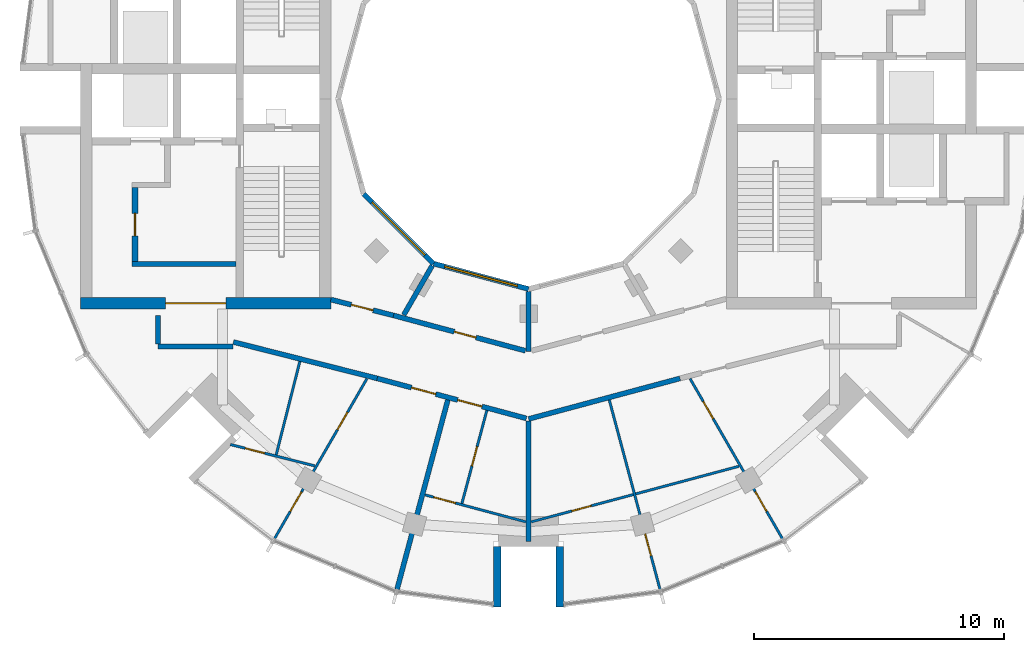
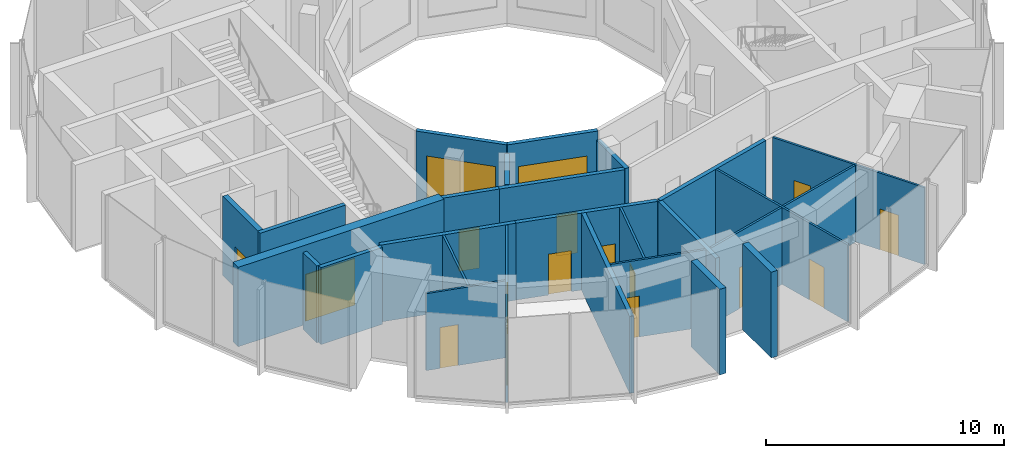
# One storey, part 7 of 13: 26 walls, 15 doors, 2 windows, 17 openings.
"""IFC4 building model written with IfcOpenShell, lengths in metres."""

from ifc_helpers import new_model, si_unit, direction, frame, frame_2d, origin, place, context, subcontext, project, spatial, rectangle, extrude, material, layer, layer_set, type_object, element, fill, save


model = new_model("IFC4")

# Units and contexts
model_context = context("Model", 3, precision=1e-05, world=origin(), true_north=direction((0.0, 1.0)))
body_context = subcontext(model_context, "Body", "Model", "MODEL_VIEW")
ifc_project = project(units=[si_unit("LENGTHUNIT", "METRE"), si_unit("AREAUNIT", "SQUARE_METRE"), si_unit("VOLUMEUNIT", "CUBIC_METRE"), si_unit("PLANEANGLEUNIT", "RADIAN"), si_unit("MASSUNIT", "GRAM", prefix="KILO")], contexts=[model_context])

# Site, building, storey
site_placement = place(None, origin())
site = spatial("IfcSite", under=ifc_project, at=site_placement, CompositionType="ELEMENT")
building_placement = place(site_placement, origin())
building = spatial("IfcBuilding", under=site, at=building_placement, Name="Torre Brocal", CompositionType="ELEMENT")
storey_placement = place(building_placement, frame((0.0, 0.0, 319.300048828125)))
storey = spatial("IfcBuildingStorey", under=building, at=storey_placement, Name="L73", CompositionType="ELEMENT", Elevation=319.300048828125)

# Wall
ifc_material_1 = material(Name="Concrete C50", Category="concrete")
ifc_layer_1 = layer(ifc_material_1, 0.199951171875)
ifc_layer_set_1 = layer_set([ifc_layer_1], Name="Concrete C50")
wall_type_1 = type_object("IfcWallType", Name="CORE WALL 200 C50", PredefinedType="SHEAR", material=ifc_layer_set_1)
wall_1_placement = place(storey_placement, frame((68.300048828125, 68.39990234375, 0.0), z_axis=(0.0, 0.0, 1.0), x_axis=(-1.0, 0.0, 0.0)))
element("IfcWall", 1, at=wall_1_placement, inside=storey, type_object=wall_type_1, Name="Wall CW200-50", PredefinedType="SHEAR", context=body_context, shape_type="SweptSolid", body=[
    extrude(rectangle(XDim=4.150146484375, YDim=0.199951171875, at=frame_2d((2.0751953125, 0.0))), origin(), (0.0, 0.0, 1.0), 4.079833984375),
])

# Wall, opening, door
ifc_material_2 = material(Name="Concrete C50", Category="concrete")
ifc_layer_2 = layer(ifc_material_2, 0.25)
ifc_layer_set_2 = layer_set([ifc_layer_2], Name="Concrete C50")
wall_type_2 = type_object("IfcWallType", Name="CORE WALL 250 C50", PredefinedType="SHEAR", material=ifc_layer_set_2)
wall_2_placement = place(storey_placement, frame((64.27490234375, 71.449951171875, 0.0), z_axis=(0.0, 0.0, 1.0), x_axis=(0.0, -1.0, 0.0)))
wall_2 = element("IfcWall", 2, at=wall_2_placement, inside=storey, type_object=wall_type_2, Name="Wall CW250-50", PredefinedType="SHEAR", context=body_context, shape_type="SweptSolid", body=[
    extrude(rectangle(XDim=2.949951171875, YDim=0.25, at=frame_2d((1.47509765625, 0.0))), origin(), (0.0, 0.0, 1.0), 4.079833984375),
])
opening_1_placement = place(wall_2_placement, frame((1.02490234375, 0.0, 0.0)))
opening_1 = element("IfcOpeningElement", 3, at=opening_1_placement, cuts=wall_2, Name="Opening W-D19", PredefinedType="OPENING", context=body_context, shape_type="SweptSolid", body=[
    extrude(rectangle(XDim=0.89990234375, YDim=2.10009765625, at=frame_2d((0.449951171875, 1.050048828125))), frame((0.0, 0.135009765625, 0.0), z_axis=(0.0, -1.0, 0.0), x_axis=(1.0, 0.0, 0.0)), (0.0, 0.0, 1.0), 0.27001953125),
])
ifc_material_3 = material(Name="Steel A653", Category="steel")
door_type_1 = type_object("IfcDoorType", Name="LOBBY DOOR FD120 900X2100", OperationType="SINGLE_SWING_RIGHT", PredefinedType="DOOR", material=ifc_material_3)
door_1_placement = place(opening_1_placement, origin())
door_1 = element("IfcDoor", 4, at=door_1_placement, inside=storey, type_object=door_type_1, Name="Door W-D19", OperationType="SINGLE_SWING_LEFT", OverallHeight=2.10009765625, OverallWidth=0.89990234375, PredefinedType="DOOR", context=body_context, shape_type="SweptSolid", body=[
    extrude(rectangle(XDim=0.89990234375, YDim=2.10009765625, at=frame_2d((0.449951171875, 1.050048828125))), frame((0.0, 0.02490234375, 0.0), z_axis=(0.0, -1.0, 0.0), x_axis=(1.0, 0.0, 0.0)), (0.0, 0.0, 1.0), 0.050048828125),
])
fill(opening_1, door_1)

ifc_material_4 = material(Name="Concrete C50", Category="concrete")
ifc_layer_3 = layer(ifc_material_4, 0.449951171875)
ifc_layer_set_3 = layer_set([ifc_layer_3], Name="Concrete C50")
wall_type_3 = type_object("IfcWallType", Name="CORE WALL 450 C50", PredefinedType="SHEAR", material=ifc_layer_set_3)
wall_3_placement = place(storey_placement, frame((72.10009765625, 66.824951171875, 0.0), z_axis=(0.0, 0.0, 1.0), x_axis=(-1.0, 0.0, 0.0)))
wall_3 = element("IfcWall", 5, at=wall_3_placement, inside=storey, type_object=wall_type_3, Name="Wall CW450-50", PredefinedType="SHEAR", context=body_context, shape_type="SweptSolid", body=[
    extrude(rectangle(XDim=10.0, YDim=0.449951171875, at=frame_2d((5.0, 0.0))), origin(), (0.0, 0.0, 1.0), 4.079833984375),
])
opening_2_placement = place(wall_3_placement, frame((4.199951171875, 0.0, 0.0)))
opening_2 = element("IfcOpeningElement", 6, at=opening_2_placement, cuts=wall_3, Name="Opening W-D23", PredefinedType="OPENING", context=body_context, shape_type="SweptSolid", body=[
    extrude(rectangle(XDim=2.39990234375, YDim=2.39990234375, at=frame_2d((1.199951171875, 1.199951171875))), frame((0.0, 0.23486328125, 0.0), z_axis=(0.0, -1.0, 0.0), x_axis=(1.0, 0.0, 0.0)), (0.0, 0.0, 1.0), 0.469970703125),
])
ifc_material_5 = material(Name="Steel A653", Category="steel")
door_type_2 = type_object("IfcDoorType", Name="DOUBLE FIRE DOOR FD90 2400X2400", OperationType="DOUBLE_DOOR_SINGLE_SWING", PredefinedType="DOOR", material=ifc_material_5)
door_2_placement = place(opening_2_placement, frame((2.39990234375, 0.0, 0.0), z_axis=(0.0, 0.0, 1.0), x_axis=(-1.0, 0.0, 0.0)))
door_2 = element("IfcDoor", 7, at=door_2_placement, inside=storey, type_object=door_type_2, Name="Door W-D23", OperationType="DOUBLE_DOOR_SINGLE_SWING", OverallHeight=2.39990234375, OverallWidth=2.39990234375, PredefinedType="DOOR", context=body_context, shape_type="SweptSolid", body=[
    extrude(rectangle(XDim=2.39990234375, YDim=2.39990234375, at=frame_2d((1.199951171875, 1.199951171875))), frame((0.0, 0.02490234375, 0.0), z_axis=(0.0, -1.0, 0.0), x_axis=(1.0, 0.0, 0.0)), (0.0, 0.0, 1.0), 0.050048828125),
])
fill(opening_2, door_2)

# Walls
ifc_material_6 = material(Name="Concrete C50", Category="concrete")
ifc_layer_4 = layer(ifc_material_6, 0.300048828125)
ifc_layer_set_4 = layer_set([ifc_layer_4], Name="Concrete C50")
wall_type_4 = type_object("IfcWallType", Name="NOTCH RETURN WALL 300 C50", PredefinedType="NOTDEFINED", material=ifc_layer_set_4)
for number, where, z_axis, x_axis, name in (
    (8, (78.75, 57.10009765625, 0.0), (0.0, 0.0, 1.0), (0.0, -1.0, 0.0), "NOTCH RETURN WALL"),
    (9, (81.25, 57.10009765625, 0.0), (0.0, 0.0, 1.0), (0.0, -1.0, 0.0), "NOTCH RETURN WALL"),
):
    element("IfcWall", number, at=place(storey_placement, frame(where, z_axis=z_axis, x_axis=x_axis)), inside=storey, type_object=wall_type_4, Name=name, PredefinedType="NOTDEFINED", context=body_context, shape_type="SweptSolid", body=[
        extrude(rectangle(XDim=2.415771484375, YDim=0.300048828125, at=frame_2d((1.2080078125, 0.0))), origin(), (0.0, 0.0, 1.0), 4.39990234375),
    ])

# Wall, opening, door
ifc_material_7 = material(Name="Gypsum board", Category="Gypsum")
ifc_layer_5 = layer(ifc_material_7, 0.10009765625)
ifc_layer_set_5 = layer_set([ifc_layer_5], Name="Gypsum board")
wall_type_5 = type_object("IfcWallType", Name="PARTITION 100", PredefinedType="PARTITIONING", material=ifc_layer_set_5)
wall_4_placement = place(storey_placement, frame((68.083251953125, 61.18359375, 0.0), z_axis=(0.0, 0.0, 1.0), x_axis=(0.969415105271, -0.245426880503, 0.0)))
wall_4 = element("IfcWall", 10, at=wall_4_placement, inside=storey, type_object=wall_type_5, Name="BATHROOM WALL", PredefinedType="PARTITIONING", context=body_context, shape_type="SweptSolid", body=[
    extrude(rectangle(XDim=3.4755859375, YDim=0.10009765625, at=frame_2d((1.73779296875, 0.0))), origin(), (0.0, 0.0, 1.0), 3.949951171875),
])
opening_3_placement = place(wall_4_placement, frame((0.610107421875, 0.0, 0.0)))
opening_3 = element("IfcOpeningElement", 11, at=opening_3_placement, cuts=wall_4, Name="Opening N05-D29", PredefinedType="OPENING", context=body_context, shape_type="SweptSolid", body=[
    extrude(rectangle(XDim=0.800048828125, YDim=2.10009765625, at=frame_2d((0.39990234375, 1.050048828125))), frame((0.0, 0.06005859375, 0.0), z_axis=(0.0, -1.0, 0.0), x_axis=(1.0, 0.0, 0.0)), (0.0, 0.0, 1.0), 0.1201171875),
])
ifc_material_8 = material(Name="Timber", Category="wood")
door_type_3 = type_object("IfcDoorType", Name="BATHROOM DOOR 800X2100", OperationType="SINGLE_SWING_LEFT", PredefinedType="DOOR", material=ifc_material_8)
door_3_placement = place(opening_3_placement, frame((0.800048828125, 0.0, 0.0), z_axis=(0.0, 0.0, 1.0), x_axis=(-1.0, 0.0, 0.0)))
door_3 = element("IfcDoor", 12, at=door_3_placement, inside=storey, type_object=door_type_3, Name="N05-D29", OperationType="SINGLE_SWING_RIGHT", OverallHeight=2.10009765625, OverallWidth=0.800048828125, PredefinedType="DOOR", context=body_context, shape_type="SweptSolid", body=[
    extrude(rectangle(XDim=0.800048828125, YDim=2.10009765625, at=frame_2d((0.39990234375, 1.050048828125))), frame((0.0, 0.02490234375, 0.0), z_axis=(0.0, -1.0, 0.0), x_axis=(1.0, 0.0, 0.0)), (0.0, 0.0, 1.0), 0.050048828125),
])
fill(opening_3, door_3)

# Wall, openings, doors
wall_5_placement = place(storey_placement, frame((69.849365234375, 57.424072265625, 0.0), z_axis=(0.0, 0.0, 1.0), x_axis=(0.500112137663, 0.865960651394, 0.0)))
wall_5 = element("IfcWall", 13, at=wall_5_placement, inside=storey, type_object=wall_type_5, Name="BATHROOM WALL", PredefinedType="PARTITIONING", context=body_context, shape_type="SweptSolid", body=[
    extrude(rectangle(XDim=7.375244140625, YDim=0.10009765625, at=frame_2d((3.6875, 0.0))), origin(), (0.0, 0.0, 1.0), 3.949951171875),
])
opening_4_placement = place(wall_5_placement, frame((1.253662109375, 0.0, 0.0)))
opening_4 = element("IfcOpeningElement", 14, at=opening_4_placement, cuts=wall_5, Name="Opening N05-D28", PredefinedType="OPENING", context=body_context, shape_type="SweptSolid", body=[
    extrude(rectangle(XDim=0.89990234375, YDim=2.10009765625, at=frame_2d((0.449951171875, 1.050048828125))), frame((0.0, 0.06005859375, 0.0), z_axis=(0.0, -1.0, 0.0), x_axis=(1.0, 0.0, 0.0)), (0.0, 0.0, 1.0), 0.1201171875),
])
opening_5_placement = place(wall_5_placement, frame((5.02734375, 0.0, 0.0)))
opening_5 = element("IfcOpeningElement", 15, at=opening_5_placement, cuts=wall_5, Name="Opening N05-D30", PredefinedType="OPENING", context=body_context, shape_type="SweptSolid", body=[
    extrude(rectangle(XDim=0.800048828125, YDim=2.10009765625, at=frame_2d((0.39990234375, 1.050048828125))), frame((0.0, 0.06005859375, 0.0), z_axis=(0.0, -1.0, 0.0), x_axis=(1.0, 0.0, 0.0)), (0.0, 0.0, 1.0), 0.1201171875),
])
door_4_placement = place(opening_5_placement, origin())
door_4 = element("IfcDoor", 16, at=door_4_placement, inside=storey, type_object=door_type_3, Name="N05-D30", OperationType="SINGLE_SWING_RIGHT", OverallHeight=2.10009765625, OverallWidth=0.800048828125, PredefinedType="DOOR", context=body_context, shape_type="SweptSolid", body=[
    extrude(rectangle(XDim=0.800048828125, YDim=2.10009765625, at=frame_2d((0.39990234375, 1.050048828125))), frame((0.0, 0.02490234375, 0.0), z_axis=(0.0, -1.0, 0.0), x_axis=(1.0, 0.0, 0.0)), (0.0, 0.0, 1.0), 0.050048828125),
])
fill(opening_5, door_4)
ifc_material_9 = material(Name="Timber", Category="wood")
door_type_4 = type_object("IfcDoorType", Name="ROOM DOOR 900X2100", OperationType="SINGLE_SWING_LEFT", PredefinedType="DOOR", material=ifc_material_9)
door_5_placement = place(opening_4_placement, origin())
door_5 = element("IfcDoor", 17, at=door_5_placement, inside=storey, type_object=door_type_4, Name="N05-D28", OperationType="SINGLE_SWING_RIGHT", OverallHeight=2.10009765625, OverallWidth=0.89990234375, PredefinedType="DOOR", context=body_context, shape_type="SweptSolid", body=[
    extrude(rectangle(XDim=0.89990234375, YDim=2.10009765625, at=frame_2d((0.449951171875, 1.050048828125))), frame((0.0, 0.02490234375, 0.0), z_axis=(0.0, -1.0, 0.0), x_axis=(1.0, 0.0, 0.0)), (0.0, 0.0, 1.0), 0.050048828125),
])
fill(opening_4, door_5)

# Wall
wall_6_placement = place(storey_placement, frame((69.914306640625, 60.77197265625, 0.0), z_axis=(0.0, 0.0, 1.0), x_axis=(0.245489008107, 0.969399374303, 0.0)))
element("IfcWall", 18, at=wall_6_placement, inside=storey, type_object=wall_type_5, Name="BATHROOM WALL", PredefinedType="PARTITIONING", context=body_context, shape_type="SweptSolid", body=[
    extrude(rectangle(XDim=3.849853515625, YDim=0.10009765625, at=frame_2d((1.9248046875, 0.0))), origin(), (0.0, 0.0, 1.0), 3.949951171875),
])

# Wall, opening, door
wall_7_placement = place(storey_placement, frame((75.861572265625, 59.171142578125, 0.0), z_axis=(0.0, 0.0, 1.0), x_axis=(0.965961623338, -0.258685411723, 0.0)))
wall_7 = element("IfcWall", 19, at=wall_7_placement, inside=storey, type_object=wall_type_5, Name="BATHROOM WALL", PredefinedType="PARTITIONING", context=body_context, shape_type="SweptSolid", body=[
    extrude(rectangle(XDim=4.17431640625, YDim=0.10009765625, at=frame_2d((2.087158203125, 0.0))), origin(), (0.0, 0.0, 1.0), 3.949951171875),
])
opening_6_placement = place(wall_7_placement, frame((0.36279296875, 0.0, 0.0)))
opening_6 = element("IfcOpeningElement", 20, at=opening_6_placement, cuts=wall_7, Name="Opening N05-D24", PredefinedType="OPENING", context=body_context, shape_type="SweptSolid", body=[
    extrude(rectangle(XDim=0.89990234375, YDim=2.10009765625, at=frame_2d((0.449951171875, 1.050048828125))), frame((0.0, 0.06005859375, 0.0), z_axis=(0.0, -1.0, 0.0), x_axis=(1.0, 0.0, 0.0)), (0.0, 0.0, 1.0), 0.1201171875),
])
door_6_placement = place(opening_6_placement, origin())
door_6 = element("IfcDoor", 21, at=door_6_placement, inside=storey, type_object=door_type_4, Name="N05-D24", OperationType="SINGLE_SWING_RIGHT", OverallHeight=2.10009765625, OverallWidth=0.89990234375, PredefinedType="DOOR", context=body_context, shape_type="SweptSolid", body=[
    extrude(rectangle(XDim=0.89990234375, YDim=2.10009765625, at=frame_2d((0.449951171875, 1.050048828125))), frame((0.0, 0.02490234375, 0.0), z_axis=(0.0, -1.0, 0.0), x_axis=(1.0, 0.0, 0.0)), (0.0, 0.0, 1.0), 0.050048828125),
])
fill(opening_6, door_6)

wall_8_placement = place(storey_placement, frame((77.3359375, 58.828369140625, 0.0), z_axis=(0.0, 0.0, 1.0), x_axis=(0.25872023695, 0.965952296437, 0.0)))
wall_8 = element("IfcWall", 22, at=wall_8_placement, inside=storey, type_object=wall_type_5, Name="BATHROOM WALL", PredefinedType="PARTITIONING", context=body_context, shape_type="SweptSolid", body=[
    extrude(rectangle(XDim=3.85009765625, YDim=0.10009765625, at=frame_2d((1.925048828125, 0.0))), origin(), (0.0, 0.0, 1.0), 3.949951171875),
])
opening_7_placement = place(wall_8_placement, frame((1.550048828125, 0.0, 0.0)))
opening_7 = element("IfcOpeningElement", 23, at=opening_7_placement, cuts=wall_8, Name="Opening N05-D26", PredefinedType="OPENING", context=body_context, shape_type="SweptSolid", body=[
    extrude(rectangle(XDim=0.800048828125, YDim=2.10009765625, at=frame_2d((0.39990234375, 1.050048828125))), frame((0.0, 0.06005859375, 0.0), z_axis=(0.0, -1.0, 0.0), x_axis=(1.0, 0.0, 0.0)), (0.0, 0.0, 1.0), 0.1201171875),
])
door_7_placement = place(opening_7_placement, frame((0.800048828125, 0.0, 0.0), z_axis=(0.0, 0.0, 1.0), x_axis=(-1.0, 0.0, 0.0)))
door_7 = element("IfcDoor", 24, at=door_7_placement, inside=storey, type_object=door_type_3, Name="N05-D26", OperationType="SINGLE_SWING_LEFT", OverallHeight=2.10009765625, OverallWidth=0.800048828125, PredefinedType="DOOR", context=body_context, shape_type="SweptSolid", body=[
    extrude(rectangle(XDim=0.800048828125, YDim=2.10009765625, at=frame_2d((0.39990234375, 1.050048828125))), frame((0.0, 0.02490234375, 0.0), z_axis=(0.0, -1.0, 0.0), x_axis=(1.0, 0.0, 0.0)), (0.0, 0.0, 1.0), 0.050048828125),
])
fill(opening_7, door_7)

wall_9_placement = place(storey_placement, frame((80.106201171875, 58.091552734375, 0.0), z_axis=(0.0, 0.0, 1.0), x_axis=(0.965971139599, 0.258649874274, 0.0)))
wall_9 = element("IfcWall", 25, at=wall_9_placement, inside=storey, type_object=wall_type_5, Name="BATHROOM WALL", PredefinedType="PARTITIONING", context=body_context, shape_type="SweptSolid", body=[
    extrude(rectangle(XDim=8.587646484375, YDim=0.10009765625, at=frame_2d((4.2939453125, 0.0))), origin(), (0.0, 0.0, 1.0), 3.949951171875),
])
opening_8_placement = place(wall_9_placement, frame((1.68212890625, 0.0, 0.0)))
opening_8 = element("IfcOpeningElement", 26, at=opening_8_placement, cuts=wall_9, Name="Opening N05-D22", PredefinedType="OPENING", context=body_context, shape_type="SweptSolid", body=[
    extrude(rectangle(XDim=0.800048828125, YDim=2.10009765625, at=frame_2d((0.39990234375, 1.050048828125))), frame((0.0, 0.06005859375, 0.0), z_axis=(0.0, -1.0, 0.0), x_axis=(1.0, 0.0, 0.0)), (0.0, 0.0, 1.0), 0.1201171875),
])
door_8_placement = place(opening_8_placement, origin())
door_8 = element("IfcDoor", 27, at=door_8_placement, inside=storey, type_object=door_type_3, Name="N05-D22", OperationType="SINGLE_SWING_LEFT", OverallHeight=2.10009765625, OverallWidth=0.800048828125, PredefinedType="DOOR", context=body_context, shape_type="SweptSolid", body=[
    extrude(rectangle(XDim=0.800048828125, YDim=2.10009765625, at=frame_2d((0.39990234375, 1.050048828125))), frame((0.0, 0.02490234375, 0.0), z_axis=(0.0, -1.0, 0.0), x_axis=(1.0, 0.0, 0.0)), (0.0, 0.0, 1.0), 0.050048828125),
])
fill(opening_8, door_8)

wall_10_placement = place(storey_placement, frame((83.224365234375, 62.96435546875, 0.0), z_axis=(0.0, 0.0, 1.0), x_axis=(0.258779160476, -0.96593651246, 0.0)))
wall_10 = element("IfcWall", 28, at=wall_10_placement, inside=storey, type_object=wall_type_5, Name="BATHROOM WALL", PredefinedType="PARTITIONING", context=body_context, shape_type="SweptSolid", body=[
    extrude(rectangle(XDim=7.838134765625, YDim=0.10009765625, at=frame_2d((3.9189453125, 0.0))), origin(), (0.0, 0.0, 1.0), 3.949951171875),
])
opening_9_placement = place(wall_10_placement, frame((5.544189453125, 0.0, 0.0)))
opening_9 = element("IfcOpeningElement", 29, at=opening_9_placement, cuts=wall_10, Name="Opening N05-D21", PredefinedType="OPENING", context=body_context, shape_type="SweptSolid", body=[
    extrude(rectangle(XDim=0.89990234375, YDim=2.10009765625, at=frame_2d((0.449951171875, 1.050048828125))), frame((0.0, 0.06005859375, 0.0), z_axis=(0.0, -1.0, 0.0), x_axis=(1.0, 0.0, 0.0)), (0.0, 0.0, 1.0), 0.1201171875),
])
door_9_placement = place(opening_9_placement, frame((0.89990234375, 0.0, 0.0), z_axis=(0.0, 0.0, 1.0), x_axis=(-1.0, 0.0, 0.0)))
door_9 = element("IfcDoor", 30, at=door_9_placement, inside=storey, type_object=door_type_4, Name="N05-D21", OperationType="SINGLE_SWING_LEFT", OverallHeight=2.10009765625, OverallWidth=0.89990234375, PredefinedType="DOOR", context=body_context, shape_type="SweptSolid", body=[
    extrude(rectangle(XDim=0.89990234375, YDim=2.10009765625, at=frame_2d((0.449951171875, 1.050048828125))), frame((0.0, 0.02490234375, 0.0), z_axis=(0.0, -1.0, 0.0), x_axis=(1.0, 0.0, 0.0)), (0.0, 0.0, 1.0), 0.050048828125),
])
fill(opening_9, door_9)

# Wall, openings, doors
wall_11_placement = place(storey_placement, frame((86.45263671875, 63.81689453125, 0.0), z_axis=(0.0, 0.0, 1.0), x_axis=(0.499822611913, -0.866127794624, 0.0)))
wall_11 = element("IfcWall", 31, at=wall_11_placement, inside=storey, type_object=wall_type_5, Name="BATHROOM WALL", PredefinedType="PARTITIONING", context=body_context, shape_type="SweptSolid", body=[
    extrude(rectangle(XDim=7.385498046875, YDim=0.10009765625, at=frame_2d((3.69287109375, 0.0))), origin(), (0.0, 0.0, 1.0), 3.949951171875),
])
opening_10_placement = place(wall_11_placement, frame((5.22021484375, 0.0, 0.0)))
opening_10 = element("IfcOpeningElement", 32, at=opening_10_placement, cuts=wall_11, Name="Opening N05-D19", PredefinedType="OPENING", context=body_context, shape_type="SweptSolid", body=[
    extrude(rectangle(XDim=0.89990234375, YDim=2.10009765625, at=frame_2d((0.449951171875, 1.050048828125))), frame((0.0, 0.06005859375, 0.0), z_axis=(0.0, -1.0, 0.0), x_axis=(1.0, 0.0, 0.0)), (0.0, 0.0, 1.0), 0.1201171875),
])
opening_11_placement = place(wall_11_placement, frame((1.049560546875, 0.0, 0.0)))
opening_11 = element("IfcOpeningElement", 33, at=opening_11_placement, cuts=wall_11, Name="Opening N05-D20", PredefinedType="OPENING", context=body_context, shape_type="SweptSolid", body=[
    extrude(rectangle(XDim=0.800048828125, YDim=2.10009765625, at=frame_2d((0.39990234375, 1.050048828125))), frame((0.0, 0.06005859375, 0.0), z_axis=(0.0, -1.0, 0.0), x_axis=(1.0, 0.0, 0.0)), (0.0, 0.0, 1.0), 0.1201171875),
])
door_10_placement = place(opening_11_placement, frame((0.800048828125, 0.0, 0.0), z_axis=(0.0, 0.0, 1.0), x_axis=(-1.0, 0.0, 0.0)))
door_10 = element("IfcDoor", 34, at=door_10_placement, inside=storey, type_object=door_type_3, Name="N05-D20", OperationType="SINGLE_SWING_RIGHT", OverallHeight=2.10009765625, OverallWidth=0.800048828125, PredefinedType="DOOR", context=body_context, shape_type="SweptSolid", body=[
    extrude(rectangle(XDim=0.800048828125, YDim=2.10009765625, at=frame_2d((0.39990234375, 1.050048828125))), frame((0.0, 0.02490234375, 0.0), z_axis=(0.0, -1.0, 0.0), x_axis=(1.0, 0.0, 0.0)), (0.0, 0.0, 1.0), 0.050048828125),
])
fill(opening_11, door_10)
door_11_placement = place(opening_10_placement, frame((0.89990234375, 0.0, 0.0), z_axis=(0.0, 0.0, 1.0), x_axis=(-1.0, 0.0, 0.0)))
door_11 = element("IfcDoor", 35, at=door_11_placement, inside=storey, type_object=door_type_4, Name="N05-D19", OperationType="SINGLE_SWING_RIGHT", OverallHeight=2.10009765625, OverallWidth=0.89990234375, PredefinedType="DOOR", context=body_context, shape_type="SweptSolid", body=[
    extrude(rectangle(XDim=0.89990234375, YDim=2.10009765625, at=frame_2d((0.449951171875, 1.050048828125))), frame((0.0, 0.02490234375, 0.0), z_axis=(0.0, -1.0, 0.0), x_axis=(1.0, 0.0, 0.0)), (0.0, 0.0, 1.0), 0.050048828125),
])
fill(opening_10, door_11)

# Walls
ifc_material_10 = material(Name="Gypsum board", Category="Gypsum")
ifc_layer_6 = layer(ifc_material_10, 0.199951171875)
ifc_layer_set_6 = layer_set([ifc_layer_6], Name="Gypsum board")
wall_type_6 = type_object("IfcWallType", Name="PARTITION 200 EI60", PredefinedType="PARTITIONING", material=ifc_layer_set_6)
wall_12_placement = place(storey_placement, frame((65.199951171875, 65.199951171875, 0.0), z_axis=(0.0, 0.0, 1.0), x_axis=(0.0, 1.0, 0.0)))
element("IfcWall", 36, at=wall_12_placement, inside=storey, type_object=wall_type_6, Name="CORRIDOR WALL", PredefinedType="PARTITIONING", context=body_context, shape_type="SweptSolid", body=[
    extrude(rectangle(XDim=1.149169921875, YDim=0.199951171875, at=frame_2d((0.57470703125, 0.0))), origin(), (0.0, 0.0, 1.0), 3.949951171875),
])
wall_13_placement = place(storey_placement, frame((65.199951171875, 65.10009765625, 0.0), z_axis=(0.0, 0.0, 1.0), x_axis=(1.0, 0.0, 0.0)))
element("IfcWall", 37, at=wall_13_placement, inside=storey, type_object=wall_type_6, Name="CORRIDOR WALL", PredefinedType="PARTITIONING", context=body_context, shape_type="SweptSolid", body=[
    extrude(rectangle(XDim=2.97998046875, YDim=0.199951171875, at=frame_2d((1.489990234375, 0.0))), origin(), (0.0, 0.0, 1.0), 3.949951171875),
])
wall_14_placement = place(storey_placement, frame((68.200927734375, 65.280029296875, 0.0), z_axis=(0.0, 0.0, 1.0), x_axis=(0.969421088032, -0.245403247897, 0.0)))
element("IfcWall", 38, at=wall_14_placement, inside=storey, type_object=wall_type_6, Name="FLAT ENTRANCE WALL", PredefinedType="PARTITIONING", context=body_context, shape_type="SweptSolid", body=[
    extrude(rectangle(XDim=5.92724609375, YDim=0.199951171875, at=frame_2d((2.963623046875, 0.0))), origin(), (0.0, 0.0, 1.0), 3.949951171875),
])

# Wall, opening, door
wall_15_placement = place(storey_placement, frame((72.10009765625, 66.97509765625, 0.0), z_axis=(0.0, 0.0, 1.0), x_axis=(0.969471314457, -0.245204752086, 0.0)))
wall_15 = element("IfcWall", 39, at=wall_15_placement, inside=storey, type_object=wall_type_6, Name="CORRIDOR WALL", PredefinedType="PARTITIONING", context=body_context, shape_type="SweptSolid", body=[
    extrude(rectangle(XDim=2.581787109375, YDim=0.199951171875, at=frame_2d((1.291015625, 0.0))), origin(), (0.0, 0.0, 1.0), 3.949951171875),
])
opening_12_placement = place(wall_15_placement, frame((0.8408203125, 0.0, 0.0)))
opening_12 = element("IfcOpeningElement", 40, at=opening_12_placement, cuts=wall_15, Name="Opening N05-D34", PredefinedType="OPENING", context=body_context, shape_type="SweptSolid", body=[
    extrude(rectangle(XDim=0.89990234375, YDim=2.10009765625, at=frame_2d((0.449951171875, 1.050048828125))), frame((0.0, 0.10986328125, 0.0), z_axis=(0.0, -1.0, 0.0), x_axis=(1.0, 0.0, 0.0)), (0.0, 0.0, 1.0), 0.219970703125),
])
door_12_placement = place(opening_12_placement, origin())
door_12 = element("IfcDoor", 41, at=door_12_placement, inside=storey, type_object=door_type_4, Name="N05-D34", OperationType="SINGLE_SWING_LEFT", OverallHeight=2.10009765625, OverallWidth=0.89990234375, PredefinedType="DOOR", context=body_context, shape_type="SweptSolid", body=[
    extrude(rectangle(XDim=0.89990234375, YDim=2.10009765625, at=frame_2d((0.449951171875, 1.050048828125))), frame((0.0, 0.02490234375, 0.0), z_axis=(0.0, -1.0, 0.0), x_axis=(1.0, 0.0, 0.0)), (0.0, 0.0, 1.0), 0.050048828125),
])
fill(opening_12, door_12)

# Wall, openings, doors
wall_16_placement = place(storey_placement, frame((73.947021484375, 63.826171875, 0.0), z_axis=(0.0, 0.0, 1.0), x_axis=(0.965894934009, -0.25893430915, 0.0)))
wall_16 = element("IfcWall", 42, at=wall_16_placement, inside=storey, type_object=wall_type_6, Name="FLAT ENTRANCE WALL", PredefinedType="PARTITIONING", context=body_context, shape_type="SweptSolid", body=[
    extrude(rectangle(XDim=6.1767578125, YDim=0.199951171875, at=frame_2d((3.08837890625, 0.0))), origin(), (0.0, 0.0, 1.0), 3.949951171875),
])
opening_13_placement = place(wall_16_placement, frame((3.336181640625, 0.0, 0.0)))
opening_13 = element("IfcOpeningElement", 43, at=opening_13_placement, cuts=wall_16, Name="Opening N05-D25", PredefinedType="OPENING", context=body_context, shape_type="SweptSolid", body=[
    extrude(rectangle(XDim=1.0, YDim=2.10009765625, at=frame_2d((0.5, 1.050048828125))), frame((0.0, 0.10986328125, 0.0), z_axis=(0.0, -1.0, 0.0), x_axis=(1.0, 0.0, 0.0)), (0.0, 0.0, 1.0), 0.219970703125),
])
opening_14_placement = place(wall_16_placement, frame((1.42431640625, 0.0, 0.0)))
opening_14 = element("IfcOpeningElement", 44, at=opening_14_placement, cuts=wall_16, Name="Opening N05-D27", PredefinedType="OPENING", context=body_context, shape_type="SweptSolid", body=[
    extrude(rectangle(XDim=1.0, YDim=2.10009765625, at=frame_2d((0.5, 1.050048828125))), frame((0.0, 0.10986328125, 0.0), z_axis=(0.0, -1.0, 0.0), x_axis=(1.0, 0.0, 0.0)), (0.0, 0.0, 1.0), 0.219970703125),
])
ifc_material_11 = material(Name="Timber", Category="wood")
door_type_5 = type_object("IfcDoorType", Name="FLAT ENTRY DOOR FD30S 1000X2100", OperationType="SINGLE_SWING_RIGHT", PredefinedType="DOOR", material=ifc_material_11)
door_13_placement = place(opening_13_placement, frame((1.0, 0.0, 0.0), z_axis=(0.0, 0.0, 1.0), x_axis=(-1.0, 0.0, 0.0)))
door_13 = element("IfcDoor", 45, at=door_13_placement, inside=storey, type_object=door_type_5, Name="N05-D25", OperationType="SINGLE_SWING_LEFT", OverallHeight=2.10009765625, OverallWidth=1.0, PredefinedType="DOOR", context=body_context, shape_type="SweptSolid", body=[
    extrude(rectangle(XDim=1.0, YDim=2.10009765625, at=frame_2d((0.5, 1.050048828125))), frame((0.0, 0.02490234375, 0.0), z_axis=(0.0, -1.0, 0.0), x_axis=(1.0, 0.0, 0.0)), (0.0, 0.0, 1.0), 0.050048828125),
])
fill(opening_13, door_13)
door_14_placement = place(opening_14_placement, frame((1.0, 0.0, 0.0), z_axis=(0.0, 0.0, 1.0), x_axis=(-1.0, 0.0, 0.0)))
door_14 = element("IfcDoor", 46, at=door_14_placement, inside=storey, type_object=door_type_5, Name="N05-D27", OperationType="SINGLE_SWING_LEFT", OverallHeight=2.10009765625, OverallWidth=1.0, PredefinedType="DOOR", context=body_context, shape_type="SweptSolid", body=[
    extrude(rectangle(XDim=1.0, YDim=2.10009765625, at=frame_2d((0.5, 1.050048828125))), frame((0.0, 0.02490234375, 0.0), z_axis=(0.0, -1.0, 0.0), x_axis=(1.0, 0.0, 0.0)), (0.0, 0.0, 1.0), 0.050048828125),
])
fill(opening_14, door_14)

# Wall, opening, door
wall_17_placement = place(storey_placement, frame((74.60302734375, 66.342041015625, 0.0), z_axis=(0.0, 0.0, 1.0), x_axis=(0.965920893652, -0.258837453254, 0.0)))
wall_17 = element("IfcWall", 47, at=wall_17_placement, inside=storey, type_object=wall_type_6, Name="CORRIDOR WALL", PredefinedType="PARTITIONING", context=body_context, shape_type="SweptSolid", body=[
    extrude(rectangle(XDim=5.45751953125, YDim=0.199951171875, at=frame_2d((2.728759765625, 0.0))), origin(), (0.0, 0.0, 1.0), 3.949951171875),
])
opening_15_placement = place(wall_17_placement, frame((2.512451171875, 0.0, 0.0)))
opening_15 = element("IfcOpeningElement", 48, at=opening_15_placement, cuts=wall_17, Name="Opening N05-D33", PredefinedType="OPENING", context=body_context, shape_type="SweptSolid", body=[
    extrude(rectangle(XDim=0.89990234375, YDim=2.10009765625, at=frame_2d((0.449951171875, 1.050048828125))), frame((0.0, 0.10986328125, 0.0), z_axis=(0.0, -1.0, 0.0), x_axis=(1.0, 0.0, 0.0)), (0.0, 0.0, 1.0), 0.219970703125),
])
door_15_placement = place(opening_15_placement, origin())
door_15 = element("IfcDoor", 49, at=door_15_placement, inside=storey, type_object=door_type_4, Name="N05-D33", OperationType="SINGLE_SWING_LEFT", OverallHeight=2.10009765625, OverallWidth=0.89990234375, PredefinedType="DOOR", context=body_context, shape_type="SweptSolid", body=[
    extrude(rectangle(XDim=0.89990234375, YDim=2.10009765625, at=frame_2d((0.449951171875, 1.050048828125))), frame((0.0, 0.02490234375, 0.0), z_axis=(0.0, -1.0, 0.0), x_axis=(1.0, 0.0, 0.0)), (0.0, 0.0, 1.0), 0.050048828125),
])
fill(opening_15, door_15)

# Walls
wall_18_placement = place(storey_placement, frame((74.743408203125, 55.394287109375, 0.0), z_axis=(0.0, 0.0, 1.0), x_axis=(0.258969103378, 0.965885605802, 0.0)))
element("IfcWall", 50, at=wall_18_placement, inside=storey, type_object=wall_type_6, Name="PARTY PARTITION", PredefinedType="PARTITIONING", context=body_context, shape_type="SweptSolid", body=[
    extrude(rectangle(XDim=7.837890625, YDim=0.199951171875, at=frame_2d((3.9189453125, 0.0))), origin(), (0.0, 0.0, 1.0), 3.949951171875),
])
wall_19_placement = place(storey_placement, frame((75.011962890625, 66.36328125, 0.0), z_axis=(0.0, 0.0, 1.0), x_axis=(0.500143511652, 0.865942531438, 0.0)))
element("IfcWall", 51, at=wall_19_placement, inside=storey, type_object=wall_type_6, Name="PARTY PARTITION", PredefinedType="PARTITIONING", context=body_context, shape_type="SweptSolid", body=[
    extrude(rectangle(XDim=2.275146484375, YDim=0.199951171875, at=frame_2d((1.1376953125, 0.0))), origin(), (0.0, 0.0, 1.0), 3.949951171875),
])
wall_20_placement = place(storey_placement, frame((80.0, 57.300048828125, 0.0), z_axis=(0.0, 0.0, 1.0), x_axis=(0.0, 1.0, 0.0)))
element("IfcWall", 52, at=wall_20_placement, inside=storey, type_object=wall_type_6, Name="BATHROOM WALL", PredefinedType="PARTITIONING", context=body_context, shape_type="SweptSolid", body=[
    extrude(rectangle(XDim=4.81396484375, YDim=0.199951171875, at=frame_2d((2.406982421875, 0.0))), origin(), (0.0, 0.0, 1.0), 3.949951171875),
])
wall_21_placement = place(storey_placement, frame((80.0, 62.2041015625, 0.0), z_axis=(0.0, 0.0, 1.0), x_axis=(0.965938139786, 0.258773086132, 0.0)))
element("IfcWall", 53, at=wall_21_placement, inside=storey, type_object=wall_type_6, Name="GUESTROOM CORRIDOR WALL", PredefinedType="PARTITIONING", context=body_context, shape_type="SweptSolid", body=[
    extrude(rectangle(XDim=6.266357421875, YDim=0.199951171875, at=frame_2d((3.13330078125, 0.0))), origin(), (0.0, 0.0, 1.0), 3.949951171875),
])
wall_22_placement = place(storey_placement, frame((80.0, 64.89599609375, 0.0), z_axis=(0.0, 0.0, 1.0), x_axis=(0.0, 1.0, 0.0)))
element("IfcWall", 54, at=wall_22_placement, inside=storey, type_object=wall_type_6, Name="PARTY PARTITION", PredefinedType="PARTITIONING", context=body_context, shape_type="SweptSolid", body=[
    extrude(rectangle(XDim=2.405029296875, YDim=0.199951171875, at=frame_2d((1.20263671875, 0.0))), origin(), (0.0, 0.0, 1.0), 3.949951171875),
])

# Wall, opening, window
ifc_material_12 = material(Name="Concrete C40", Category="concrete")
ifc_layer_7 = layer(ifc_material_12, 0.199951171875)
ifc_layer_set_7 = layer_set([ifc_layer_7], Name="Concrete C40")
wall_type_7 = type_object("IfcWallType", Name="WELL FACADE WALL 200", PredefinedType="NOTDEFINED", material=ifc_layer_set_7)
wall_23_placement = place(storey_placement, frame((73.4150390625, 71.1982421875, 0.0), z_axis=(0.0, 0.0, 1.0), x_axis=(0.707106781187, -0.707106781187, 0.0)))
wall_23 = element("IfcWall", 55, at=wall_23_placement, inside=storey, type_object=wall_type_7, Name="WELL FACADE WALL", PredefinedType="NOTDEFINED", context=body_context, shape_type="SweptSolid", body=[
    extrude(rectangle(XDim=3.93603515625, YDim=0.199951171875, at=frame_2d((1.968017578125, 0.0))), origin(), (0.0, 0.0, 1.0), 4.39990234375),
])
opening_16_placement = place(wall_23_placement, frame((0.468017578125, 0.0, 0.89990234375)))
opening_16 = element("IfcOpeningElement", 56, at=opening_16_placement, cuts=wall_23, Name="Opening W1", PredefinedType="OPENING", context=body_context, shape_type="SweptSolid", body=[
    extrude(rectangle(XDim=3.0, YDim=2.300048828125, at=frame_2d((1.5, 1.14990234375))), frame((0.0, 0.10986328125, 0.0), z_axis=(0.0, -1.0, 0.0), x_axis=(1.0, 0.0, 0.0)), (0.0, 0.0, 1.0), 0.219970703125),
])
ifc_material_13 = material(Name="Aluminium and glass", Category="aluminium")
window_type = type_object("IfcWindowType", Name="WELL WINDOW 3000X2300", PartitioningType="SINGLE_PANEL", PredefinedType="WINDOW", material=ifc_material_13)
window_1_placement = place(opening_16_placement, origin())
window_1 = element("IfcWindow", 57, at=window_1_placement, inside=storey, type_object=window_type, Name="WELL WINDOW 3000X2300", OverallHeight=2.300048828125, OverallWidth=3.0, PartitioningType="SINGLE_PANEL", PredefinedType="WINDOW", context=body_context, shape_type="SweptSolid", body=[
    extrude(rectangle(XDim=3.0, YDim=2.300048828125, at=frame_2d((1.5, 1.14990234375))), frame((0.0, 0.030029296875, 0.0), z_axis=(0.0, -1.0, 0.0), x_axis=(1.0, 0.0, 0.0)), (0.0, 0.0, 1.0), 0.06005859375),
])
fill(opening_16, window_1)

wall_24_placement = place(storey_placement, frame((76.1982421875, 68.4150390625, 0.0), z_axis=(0.0, 0.0, 1.0), x_axis=(0.965933654434, -0.258789828301, 0.0)))
wall_24 = element("IfcWall", 58, at=wall_24_placement, inside=storey, type_object=wall_type_7, Name="WELL FACADE WALL", PredefinedType="NOTDEFINED", context=body_context, shape_type="SweptSolid", body=[
    extrude(rectangle(XDim=3.935791015625, YDim=0.199951171875, at=frame_2d((1.9677734375, 0.0))), origin(), (0.0, 0.0, 1.0), 4.39990234375),
])
opening_17_placement = place(wall_24_placement, frame((0.468017578125, 0.0, 0.89990234375)))
opening_17 = element("IfcOpeningElement", 59, at=opening_17_placement, cuts=wall_24, Name="Opening W1", PredefinedType="OPENING", context=body_context, shape_type="SweptSolid", body=[
    extrude(rectangle(XDim=3.0, YDim=2.300048828125, at=frame_2d((1.5, 1.14990234375))), frame((0.0, 0.10986328125, 0.0), z_axis=(0.0, -1.0, 0.0), x_axis=(1.0, 0.0, 0.0)), (0.0, 0.0, 1.0), 0.219970703125),
])
window_2_placement = place(opening_17_placement, origin())
window_2 = element("IfcWindow", 60, at=window_2_placement, inside=storey, type_object=window_type, Name="WELL WINDOW 3000X2300", OverallHeight=2.300048828125, OverallWidth=3.0, PartitioningType="SINGLE_PANEL", PredefinedType="WINDOW", context=body_context, shape_type="SweptSolid", body=[
    extrude(rectangle(XDim=3.0, YDim=2.300048828125, at=frame_2d((1.5, 1.14990234375))), frame((0.0, 0.030029296875, 0.0), z_axis=(0.0, -1.0, 0.0), x_axis=(1.0, 0.0, 0.0)), (0.0, 0.0, 1.0), 0.06005859375),
])
fill(opening_17, window_2)

save(model, "model.ifc")
